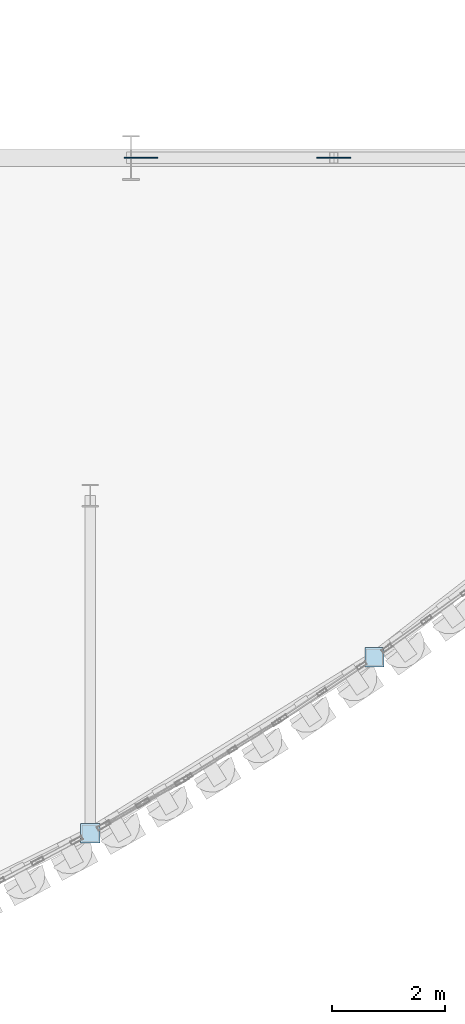
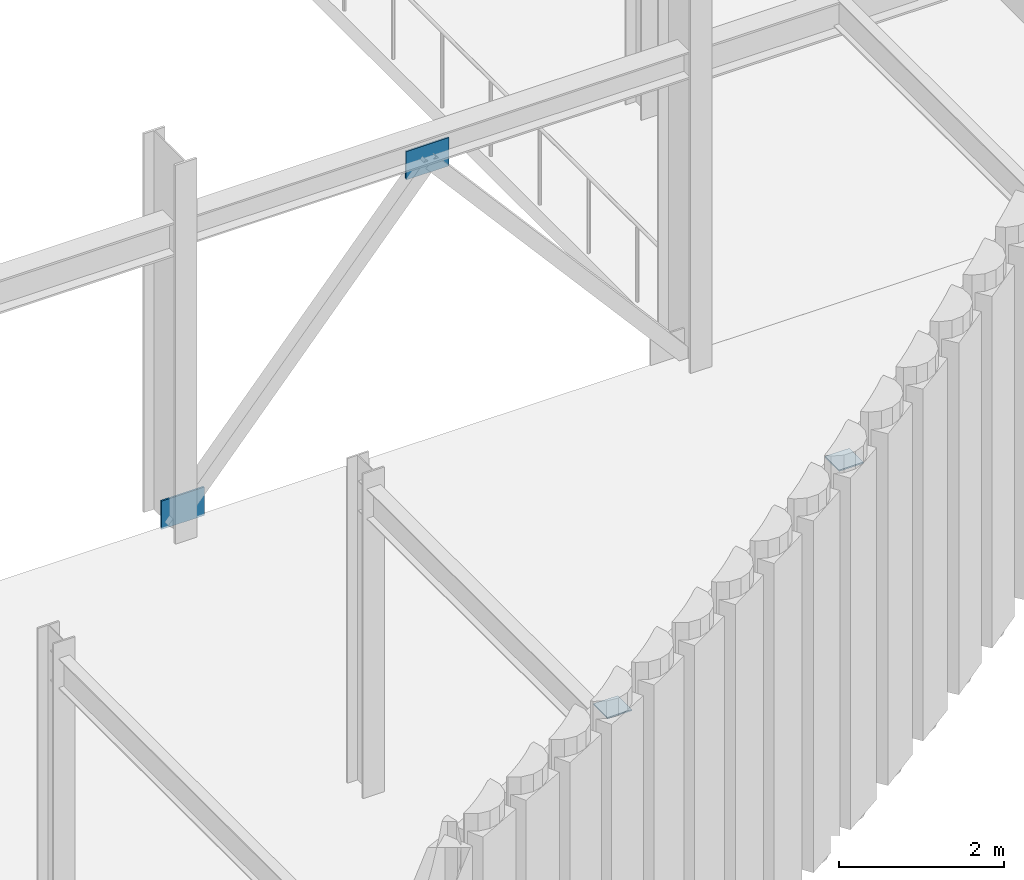
# One storey, part 99 of 126: 4 plates.
"""IFC4 building model written with IfcOpenShell, lengths in metres."""

from ifc_helpers import new_model, si_unit, direction, frame, origin, origin_2d, place, context, subcontext, project, spatial, rectangle, extrude, material, layer, layer_set, type_object, element, save


model = new_model("IFC4")

# Units and contexts
model_context = context("Model", 3, precision=1e-05, world=origin(), true_north=direction((0.0, 1.0)))
body_context = subcontext(model_context, "Body", "Model", "MODEL_VIEW")
ifc_project = project(units=[si_unit("LENGTHUNIT", "METRE"), si_unit("AREAUNIT", "SQUARE_METRE"), si_unit("VOLUMEUNIT", "CUBIC_METRE"), si_unit("PLANEANGLEUNIT", "RADIAN"), si_unit("MASSUNIT", "GRAM", prefix="KILO")], contexts=[model_context])

# Site, building, storey
site_placement = place(None, origin())
site = spatial("IfcSite", under=ifc_project, at=site_placement, CompositionType="ELEMENT")
building_placement = place(site_placement, origin())
building = spatial("IfcBuilding", under=site, at=building_placement, Name="Solvadek Multi-Sports Hall", CompositionType="ELEMENT")
storey_placement = place(building_placement, frame((0.0, 0.0, 9.60009765625)))
storey = spatial("IfcBuildingStorey", under=building, at=storey_placement, Name="L02", CompositionType="ELEMENT", Elevation=9.60009765625)

# Plates
ifc_material = material(Name="Steel E350 (350 MPa)", Category="steel")
ifc_layer_1 = layer(ifc_material, 0.02001953125, Name="Steel E350 (350 MPa)")
ifc_layer_set_1 = layer_set([ifc_layer_1], Name="Steel E350 (350 MPa)")
plate_type_1 = type_object("IfcPlateType", Name="STR-PLT-CAP340", PredefinedType="USERDEFINED", material=ifc_layer_set_1)
for number, where, z_axis, x_axis, name in (
    (1, (121.679931640625, -5.97802734375, 4.7998046875), (0.0, 0.0, 1.0), (1.0, 0.0, 0.0), "Hollow Column End Cap #312"),
    (2, (126.719970703125, -2.857177734375, 4.7998046875), (0.0, 0.0, 1.0), (1.0, 0.0, 0.0), "Hollow Column End Cap #315"),
):
    element("IfcPlate", number, at=place(storey_placement, frame(where, z_axis=z_axis, x_axis=x_axis)), inside=storey, type_object=plate_type_1, Name=name, ObjectType="BASE_PLATE", PredefinedType="USERDEFINED", context=body_context, shape_type="SweptSolid", body=[
        extrude(rectangle(XDim=0.340087890625, YDim=0.340087890625, at=origin_2d()), origin(), (0.0, 0.0, 1.0), 0.02001953125),
    ])
ifc_layer_2 = layer(ifc_material, 0.02392578125, Name="Steel E350 (350 MPa)")
ifc_layer_set_2 = layer_set([ifc_layer_2], Name="Steel E350 (350 MPa)")
plate_type_2 = type_object("IfcPlateType", Name="STR-PLT-GUS600", PredefinedType="USERDEFINED", material=ifc_layer_set_2)
for number, where, z_axis, x_axis, name in (
    (3, (122.580078125, 6.0, -0.030029296875), (0.0, 0.0, 1.0), (1.0, 0.0, 0.0), "L02 Chevron Brace Gusset Plate #290"),
    (4, (126.0, 6.0, 3.93994140625), (0.0, 0.0, 1.0), (1.0, 0.0, 0.0), "L02 Chevron Brace Gusset Plate #292"),
):
    element("IfcPlate", number, at=place(storey_placement, frame(where, z_axis=z_axis, x_axis=x_axis)), inside=storey, type_object=plate_type_2, Name=name, ObjectType="GUSSET_PLATE", PredefinedType="USERDEFINED", context=body_context, shape_type="SweptSolid", body=[
        extrude(rectangle(XDim=0.60009765625, YDim=0.02392578125, at=origin_2d()), origin(), (0.0, 0.0, 1.0), 0.419921875),
    ])

save(model, "model.ifc")
